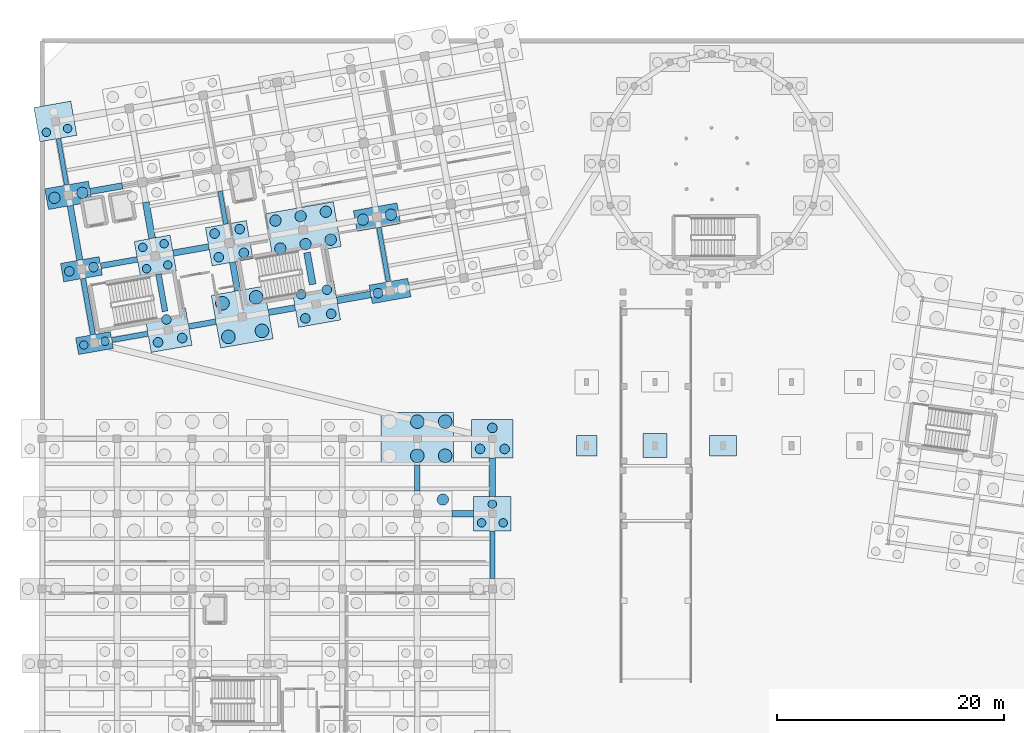
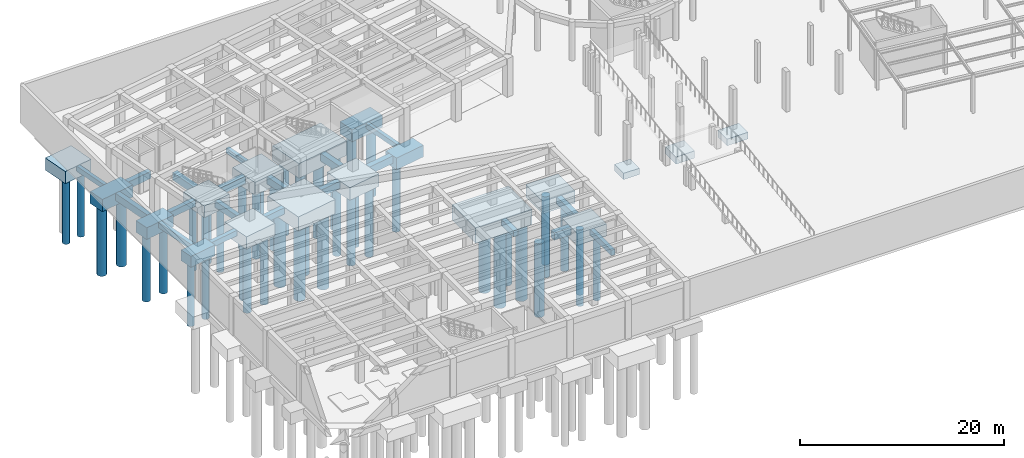
# One storey, part 3 of 34: 47 piles, 38 footings.
"""IFC4 building model written with IfcOpenShell, lengths in metres."""

from ifc_helpers import new_model, si_unit, direction, frame, origin, origin_2d, place, context, subcontext, project, spatial, rectangle, circle, extrude, material, material_profile, profile_set, type_object, element, save


model = new_model("IFC4")

# Units and contexts
model_context = context("Model", 3, precision=1e-05, world=origin(), true_north=direction((0.0, 1.0)))
body_context = subcontext(model_context, "Body", "Model", "MODEL_VIEW")
ifc_project = project(units=[si_unit("LENGTHUNIT", "METRE"), si_unit("AREAUNIT", "SQUARE_METRE"), si_unit("VOLUMEUNIT", "CUBIC_METRE"), si_unit("PLANEANGLEUNIT", "RADIAN"), si_unit("MASSUNIT", "GRAM", prefix="KILO")], contexts=[model_context])

# Site, building, storey
site_placement = place(None, origin())
site = spatial("IfcSite", under=ifc_project, at=site_placement, CompositionType="ELEMENT")
building_placement = place(site_placement, origin())
building = spatial("IfcBuilding", under=site, at=building_placement, Name="Kharisveld Research Institute", CompositionType="ELEMENT")
storey_placement = place(building_placement, frame((0.0, 0.0, -4.800048828125)))
storey = spatial("IfcBuildingStorey", under=building, at=storey_placement, Name="B1", CompositionType="ELEMENT", Elevation=-4.800048828125)

# Footings
ifc_material_1 = material(Name="Concrete C35/45", Category="concrete")
ifc_material_profile_1 = material_profile(ifc_material_1, rectangle(XDim=0.449951171875, YDim=0.64990234375, at=origin_2d()))
ifc_profile_set_1 = profile_set([ifc_material_profile_1], Name="Concrete C35/45")
footing_type_1 = type_object("IfcFootingType", Name="GB_01", PredefinedType="FOOTING_BEAM", material=ifc_profile_set_1)
footing_1_placement = place(storey_placement, frame((6.7265625, 35.279052734375, -0.77490234375), z_axis=(0.984803368477, 0.173673041766, 0.0), x_axis=(-0.173673041766, 0.984803368477, 0.0)))
element("IfcFooting", 1, at=footing_1_placement, inside=storey, type_object=footing_type_1, Name="FTG:GB:V1:U0_0", PredefinedType="FOOTING_BEAM", context=body_context, shape_type="SweptSolid", body=[
    extrude(rectangle(XDim=0.449951171875, YDim=0.64990234375, at=origin_2d()), origin(), (0.0, 0.0, 1.0), 3.224853515625),
])
footing_2_placement = place(storey_placement, frame((5.06982421875, 35.74853515625, -0.77490234375), z_axis=(-0.17364120873, 0.984808981798, 0.0), x_axis=(-0.984808981798, -0.17364120873, 0.0)))
element("IfcFooting", 2, at=footing_2_placement, inside=storey, type_object=footing_type_1, Name="FTG:GB:V1:V0_0", PredefinedType="FOOTING_BEAM", context=body_context, shape_type="SweptSolid", body=[
    extrude(rectangle(XDim=0.449951171875, YDim=0.64990234375, at=origin_2d()), origin(), (0.0, 0.0, 1.0), 5.025146484375),
])
footing_3_placement = place(storey_placement, frame((40.199951171875, 14.324951171875, -0.77490234375), z_axis=(0.0, 1.0, 0.0), x_axis=(-1.0, 0.0, 0.0)))
element("IfcFooting", 3, at=footing_3_placement, inside=storey, type_object=footing_type_1, Name="FTG:GB:V3:V6_2", PredefinedType="FOOTING_BEAM", context=body_context, shape_type="SweptSolid", body=[
    extrude(rectangle(XDim=0.449951171875, YDim=0.64990234375, at=origin_2d()), origin(), (0.0, 0.0, 1.0), 4.150146484375),
])
ifc_material_2 = material(Name="Concrete C35/45", Category="concrete")
ifc_material_profile_2 = material_profile(ifc_material_2, rectangle(XDim=0.5, YDim=0.75, at=origin_2d()))
ifc_profile_set_2 = profile_set([ifc_material_profile_2], Name="Concrete C35/45")
footing_type_2 = type_object("IfcFootingType", Name="GB_02", PredefinedType="FOOTING_BEAM", material=ifc_profile_set_2)
footing_4_placement = place(storey_placement, frame((13.4970703125, 36.472900390625, -0.824951171875), z_axis=(0.984804835116, 0.173664725064, 0.0), x_axis=(-0.173664725064, 0.984804835116, 0.0)))
element("IfcFooting", 4, at=footing_4_placement, inside=storey, type_object=footing_type_2, Name="FTG:GB:V1:U1_0", PredefinedType="FOOTING_BEAM", context=body_context, shape_type="SweptSolid", body=[
    extrude(rectangle(XDim=0.5, YDim=0.75, at=origin_2d()), origin(), (0.0, 0.0, 1.0), 2.425048828125),
])
footing_5_placement = place(storey_placement, frame((5.752685546875, 41.809326171875, -0.824951171875), z_axis=(0.984813562235, 0.173615228707, 0.0), x_axis=(-0.173615228707, 0.984813562235, 0.0)))
element("IfcFooting", 5, at=footing_5_placement, inside=storey, type_object=footing_type_2, Name="FTG:GB:V1:U0_1", PredefinedType="FOOTING_BEAM", context=body_context, shape_type="SweptSolid", body=[
    extrude(rectangle(XDim=0.5, YDim=0.75, at=origin_2d()), origin(), (0.0, 0.0, 1.0), 3.275146484375),
])
footing_6_placement = place(storey_placement, frame((11.408935546875, 37.8056640625, -0.824951171875), z_axis=(-0.173655479485, 0.984806465477, 0.0), x_axis=(-0.984806465477, -0.173655479485, 0.0)))
element("IfcFooting", 6, at=footing_6_placement, inside=storey, type_object=footing_type_2, Name="FTG:GB:V1:V1_0", PredefinedType="FOOTING_BEAM", context=body_context, shape_type="SweptSolid", body=[
    extrude(rectangle(XDim=0.5, YDim=0.75, at=origin_2d()), origin(), (0.0, 0.0, 1.0), 3.324951171875),
])
footing_7_placement = place(storey_placement, frame((33.60009765625, 22.0, -0.824951171875), z_axis=(0.0, 1.0, 0.0), x_axis=(-1.0, 0.0, 0.0)))
element("IfcFooting", 7, at=footing_7_placement, inside=storey, type_object=footing_type_2, Name="FTG:GB:V3:V5_3", PredefinedType="FOOTING_BEAM", context=body_context, shape_type="SweptSolid", body=[
    extrude(rectangle(XDim=0.5, YDim=0.75, at=origin_2d()), origin(), (0.0, 0.0, 1.0), 2.300048828125),
])
ifc_material_3 = material(Name="Concrete C35/45", Category="concrete")
ifc_material_profile_3 = material_profile(ifc_material_3, rectangle(XDim=0.550048828125, YDim=0.85009765625, at=origin_2d()))
ifc_profile_set_3 = profile_set([ifc_material_profile_3], Name="Concrete C35/45")
footing_type_3 = type_object("IfcFootingType", Name="GB_03", PredefinedType="FOOTING_BEAM", material=ifc_profile_set_3)
footing_8_placement = place(storey_placement, frame((20.513671875, 37.710205078125, -0.875), z_axis=(0.984814586549, 0.173609418295, 0.0), x_axis=(-0.173609418295, 0.984814586549, 0.0)))
element("IfcFooting", 8, at=footing_8_placement, inside=storey, type_object=footing_type_3, Name="FTG:GB:V1:U2_0", PredefinedType="FOOTING_BEAM", context=body_context, shape_type="SweptSolid", body=[
    extrude(rectangle(XDim=0.550048828125, YDim=0.85009765625, at=origin_2d()), origin(), (0.0, 0.0, 1.0), 2.375244140625),
])
footing_9_placement = place(storey_placement, frame((12.12939453125, 42.93359375, -0.875), z_axis=(0.984810641176, 0.173631797281, 0.0), x_axis=(-0.173631797281, 0.984810641176, 0.0)))
element("IfcFooting", 9, at=footing_9_placement, inside=storey, type_object=footing_type_3, Name="FTG:GB:V1:U1_1", PredefinedType="FOOTING_BEAM", context=body_context, shape_type="SweptSolid", body=[
    extrude(rectangle(XDim=0.550048828125, YDim=0.85009765625, at=origin_2d()), origin(), (0.0, 0.0, 1.0), 3.175048828125),
])
footing_10_placement = place(storey_placement, frame((4.828125, 48.34814453125, -0.875), z_axis=(0.984805777887, 0.173659378786, 0.0), x_axis=(-0.173659378786, 0.984805777887, 0.0)))
element("IfcFooting", 10, at=footing_10_placement, inside=storey, type_object=footing_type_3, Name="FTG:GB:V1:U0_2", PredefinedType="FOOTING_BEAM", context=body_context, shape_type="SweptSolid", body=[
    extrude(rectangle(XDim=0.550048828125, YDim=0.85009765625, at=origin_2d()), origin(), (0.0, 0.0, 1.0), 2.875),
])
footing_11_placement = place(storey_placement, frame((3.91064453125, 42.322265625, -0.875), z_axis=(-0.173664725064, 0.984804835116, 0.0), x_axis=(-0.984804835116, -0.173664725064, 0.0)))
element("IfcFooting", 11, at=footing_11_placement, inside=storey, type_object=footing_type_3, Name="FTG:GB:V1:V0_1", PredefinedType="FOOTING_BEAM", context=body_context, shape_type="SweptSolid", body=[
    extrude(rectangle(XDim=0.550048828125, YDim=0.85009765625, at=origin_2d()), origin(), (0.0, 0.0, 1.0), 4.85009765625),
])
footing_12_placement = place(storey_placement, frame((17.79150390625, 39.616455078125, -0.875), z_axis=(-0.173676096932, 0.984802829684, 0.0), x_axis=(-0.984802829684, -0.173676096932, 0.0)))
element("IfcFooting", 12, at=footing_12_placement, inside=storey, type_object=footing_type_3, Name="FTG:GB:V1:V2_0", PredefinedType="FOOTING_BEAM", context=body_context, shape_type="SweptSolid", body=[
    extrude(rectangle(XDim=0.550048828125, YDim=0.85009765625, at=origin_2d()), origin(), (0.0, 0.0, 1.0), 2.550048828125),
])
footing_13_placement = place(storey_placement, frame((40.199951171875, 21.52490234375, -0.875), z_axis=(0.0, 1.0, 0.0), x_axis=(-1.0, 0.0, 0.0)))
element("IfcFooting", 13, at=footing_13_placement, inside=storey, type_object=footing_type_3, Name="FTG:GB:V3:V6_3", PredefinedType="FOOTING_BEAM", context=body_context, shape_type="SweptSolid", body=[
    extrude(rectangle(XDim=0.550048828125, YDim=0.85009765625, at=origin_2d()), origin(), (0.0, 0.0, 1.0), 3.400146484375),
])
ifc_material_4 = material(Name="Concrete C35/45", Category="concrete")
ifc_material_profile_4 = material_profile(ifc_material_4, rectangle(XDim=0.60009765625, YDim=0.89990234375, at=origin_2d()))
ifc_profile_set_4 = profile_set([ifc_material_profile_4], Name="Concrete C35/45")
footing_type_4 = type_object("IfcFootingType", Name="GB_04", PredefinedType="FOOTING_BEAM", material=ifc_profile_set_4)
footing_14_placement = place(storey_placement, frame((26.545654296875, 38.77392578125, -0.89990234375), z_axis=(0.984820401928, 0.173576426815, 0.0), x_axis=(-0.173576426815, 0.984820401928, 0.0)))
element("IfcFooting", 14, at=footing_14_placement, inside=storey, type_object=footing_type_4, Name="FTG:GB:V1:U3_0", PredefinedType="FOOTING_BEAM", context=body_context, shape_type="SweptSolid", body=[
    extrude(rectangle(XDim=0.60009765625, YDim=0.89990234375, at=origin_2d()), origin(), (0.0, 0.0, 1.0), 3.000244140625),
])
footing_15_placement = place(storey_placement, frame((10.27587890625, 44.2314453125, -0.89990234375), z_axis=(-0.173660094172, 0.984805651737, 0.0), x_axis=(-0.984805651737, -0.173660094172, 0.0)))
element("IfcFooting", 15, at=footing_15_placement, inside=storey, type_object=footing_type_4, Name="FTG:GB:V1:V1_1", PredefinedType="FOOTING_BEAM", context=body_context, shape_type="SweptSolid", body=[
    extrude(rectangle(XDim=0.60009765625, YDim=0.89990234375, at=origin_2d()), origin(), (0.0, 0.0, 1.0), 3.22509765625),
])
footing_16_placement = place(storey_placement, frame((24.395263671875, 40.171630859375, -0.89990234375), z_axis=(-0.173643610618, 0.984808558295, 0.0), x_axis=(-0.984808558295, -0.173643610618, 0.0)))
element("IfcFooting", 16, at=footing_16_placement, inside=storey, type_object=footing_type_4, Name="FTG:GB:V1:V3_0", PredefinedType="FOOTING_BEAM", context=body_context, shape_type="SweptSolid", body=[
    extrude(rectangle(XDim=0.60009765625, YDim=0.89990234375, at=origin_2d()), origin(), (0.0, 0.0, 1.0), 2.849853515625),
])
footing_17_placement = place(storey_placement, frame((36.64990234375, 20.0, -0.89990234375), z_axis=(1.0, 0.0, 0.0), x_axis=(0.0, 1.0, 0.0)))
element("IfcFooting", 17, at=footing_17_placement, inside=storey, type_object=footing_type_4, Name="FTG:GB:V3:U5_3", PredefinedType="FOOTING_BEAM", context=body_context, shape_type="SweptSolid", body=[
    extrude(rectangle(XDim=0.60009765625, YDim=0.89990234375, at=origin_2d()), origin(), (0.0, 0.0, 1.0), 1.900146484375),
])
ifc_material_5 = material(Name="Concrete C35/45", Category="concrete")
ifc_material_profile_5 = material_profile(ifc_material_5, rectangle(XDim=0.39990234375, YDim=0.60009765625, at=origin_2d()))
ifc_profile_set_5 = profile_set([ifc_material_profile_5], Name="Concrete C35/45")
footing_type_5 = type_object("IfcFootingType", Name="GB_05", PredefinedType="FOOTING_BEAM", material=ifc_profile_set_5)
footing_18_placement = place(storey_placement, frame((2.747314453125, 48.92041015625, -0.75), z_axis=(-0.173664515088, 0.984804872144, 0.0), x_axis=(-0.984804872144, -0.173664515088, 0.0)))
element("IfcFooting", 18, at=footing_18_placement, inside=storey, type_object=footing_type_5, Name="FTG:GB:V1:V0_2", PredefinedType="FOOTING_BEAM", context=body_context, shape_type="SweptSolid", body=[
    extrude(rectangle(XDim=0.39990234375, YDim=0.60009765625, at=origin_2d()), origin(), (0.0, 0.0, 1.0), 4.14990234375),
])
footing_19_placement = place(storey_placement, frame((16.75830078125, 45.47607421875, -0.75), z_axis=(-0.173705076567, 0.984797718506, 0.0), x_axis=(-0.984797718506, -0.173705076567, 0.0)))
element("IfcFooting", 19, at=footing_19_placement, inside=storey, type_object=footing_type_5, Name="FTG:GB:V1:V2_1", PredefinedType="FOOTING_BEAM", context=body_context, shape_type="SweptSolid", body=[
    extrude(rectangle(XDim=0.39990234375, YDim=0.60009765625, at=origin_2d()), origin(), (0.0, 0.0, 1.0), 2.9501953125),
])
footing_20_placement = place(storey_placement, frame((31.0556640625, 40.40673828125, -0.75), z_axis=(-0.173664725064, 0.984804835116, 0.0), x_axis=(-0.984804835116, -0.173664725064, 0.0)))
element("IfcFooting", 20, at=footing_20_placement, inside=storey, type_object=footing_type_5, Name="FTG:GB:V1:V4_0", PredefinedType="FOOTING_BEAM", context=body_context, shape_type="SweptSolid", body=[
    extrude(rectangle(XDim=0.39990234375, YDim=0.60009765625, at=origin_2d()), origin(), (0.0, 0.0, 1.0), 4.85009765625),
])
ifc_material_6 = material(Name="Concrete C35/45", Category="concrete")
footing_type_6 = type_object("IfcFootingType", Name="PC_2P_A", PredefinedType="PILE_CAP", material=ifc_material_6)
footing_21_placement = place(storey_placement, frame((5.199951171875, 35.010009765625, -1.75), z_axis=(0.0, 0.0, 1.0), x_axis=(0.984807753012, 0.173648177667, 0.0)))
element("IfcFooting", 21, at=footing_21_placement, inside=storey, type_object=footing_type_6, Name="FTG:V1:U0V0", PredefinedType="PILE_CAP", context=body_context, shape_type="SweptSolid", body=[
    extrude(rectangle(XDim=3.10009765625, YDim=1.5, at=origin_2d()), origin(), (0.0, 0.0, 1.0), 1.300048828125),
])
ifc_material_7 = material(Name="Concrete C35/45", Category="concrete")
footing_type_7 = type_object("IfcFootingType", Name="PC_2P_B", PredefinedType="PILE_CAP", material=ifc_material_7)
for number, where, z_axis, x_axis, name in (
    (22, (4.053955078125, 41.509765625, -1.849853515625), (0.0, 0.0, 1.0), (0.984807753012, 0.173648177667, 0.0), "FTG:V1:U0V1"),
    (23, (31.198974609375, 39.59423828125, -1.849853515625), (0.0, 0.0, 1.0), (0.984807753012, 0.173648177667, 0.0), "FTG:V1:U4V0"),
):
    element("IfcFooting", number, at=place(storey_placement, frame(where, z_axis=z_axis, x_axis=x_axis)), inside=storey, type_object=footing_type_7, Name=name, PredefinedType="PILE_CAP", context=body_context, shape_type="SweptSolid", body=[
        extrude(rectangle(XDim=3.449951171875, YDim=1.64990234375, at=origin_2d()), origin(), (0.0, 0.0, 1.0), 1.39990234375),
    ])
ifc_material_8 = material(Name="Concrete C35/45", Category="concrete")
footing_type_8 = type_object("IfcFootingType", Name="PC_2P_C", PredefinedType="PILE_CAP", material=ifc_material_8)
for number, where, z_axis, x_axis, name in (
    (24, (2.907958984375, 48.009521484375, -1.89990234375), (0.0, 0.0, 1.0), (0.984807753012, 0.173648177667, 0.0), "FTG:V1:U0V2"),
    (25, (30.052734375, 46.093994140625, -1.89990234375), (0.0, 0.0, 1.0), (0.984807753012, 0.173648177667, 0.0), "FTG:V1:U4V1"),
):
    element("IfcFooting", number, at=place(storey_placement, frame(where, z_axis=z_axis, x_axis=x_axis)), inside=storey, type_object=footing_type_8, Name=name, PredefinedType="PILE_CAP", context=body_context, shape_type="SweptSolid", body=[
        extrude(rectangle(XDim=3.89990234375, YDim=1.85009765625, at=origin_2d()), origin(), (0.0, 0.0, 1.0), 1.449951171875),
    ])
ifc_material_9 = material(Name="Concrete C35/45", Category="concrete")
footing_type_9 = type_object("IfcFootingType", Name="PC_3P_A", PredefinedType="PILE_CAP", material=ifc_material_9)
for number, where, z_axis, x_axis, name in (
    (26, (1.76171875, 54.50927734375, -1.89990234375), (0.0, 0.0, 1.0), (0.984807753012, 0.173648177667, 0.0), "FTG:V1:U0V3"),
    (27, (40.199951171875, 20.0, -1.89990234375), (0.0, 0.0, 1.0), (1.0, 0.0, 0.0), "FTG:V3:U6V3"),
):
    element("IfcFooting", number, at=place(storey_placement, frame(where, z_axis=z_axis, x_axis=x_axis)), inside=storey, type_object=footing_type_9, Name=name, PredefinedType="PILE_CAP", context=body_context, shape_type="SweptSolid", body=[
        extrude(rectangle(XDim=3.300048828125, YDim=3.050048828125, at=origin_2d()), origin(), (0.0, 0.0, 1.0), 1.449951171875),
    ])
ifc_material_10 = material(Name="Concrete C35/45", Category="concrete")
footing_type_10 = type_object("IfcFootingType", Name="PC_3P_B", PredefinedType="PILE_CAP", material=ifc_material_10)
for number, where, z_axis, x_axis, name in (
    (28, (11.69970703125, 36.156005859375, -1.949951171875), (0.0, 0.0, 1.0), (0.984807753012, 0.173648177667, 0.0), "FTG:V1:U1V0"),
    (29, (40.199951171875, 26.60009765625, -1.949951171875), (0.0, 0.0, 1.0), (1.0, 0.0, 0.0), "FTG:V3:U6V4"),
):
    element("IfcFooting", number, at=place(storey_placement, frame(where, z_axis=z_axis, x_axis=x_axis)), inside=storey, type_object=footing_type_10, Name=name, PredefinedType="PILE_CAP", context=body_context, shape_type="SweptSolid", body=[
        extrude(rectangle(XDim=3.64990234375, YDim=3.35009765625, at=origin_2d()), origin(), (0.0, 0.0, 1.0), 1.5),
    ])
ifc_material_11 = material(Name="Concrete C35/45", Category="concrete")
footing_type_11 = type_object("IfcFootingType", Name="PC_4P_A", PredefinedType="PILE_CAP", material=ifc_material_11)
footing_22_placement = place(storey_placement, frame((10.5537109375, 42.65576171875, -1.849853515625), z_axis=(0.0, 0.0, 1.0), x_axis=(0.984807753012, 0.173648177667, 0.0)))
element("IfcFooting", 30, at=footing_22_placement, inside=storey, type_object=footing_type_11, Name="FTG:V1:U1V1", PredefinedType="PILE_CAP", context=body_context, shape_type="SweptSolid", body=[
    extrude(rectangle(XDim=3.199951171875, YDim=3.199951171875, at=origin_2d()), origin(), (0.0, 0.0, 1.0), 1.39990234375),
])
ifc_material_12 = material(Name="Concrete C35/45", Category="concrete")
footing_type_12 = type_object("IfcFootingType", Name="PC_4P_D", PredefinedType="PILE_CAP", material=ifc_material_12)
footing_23_placement = place(storey_placement, frame((18.199462890625, 37.30224609375, -2.14990234375), z_axis=(0.0, 0.0, 1.0), x_axis=(0.984807753012, 0.173648177667, 0.0)))
element("IfcFooting", 31, at=footing_23_placement, inside=storey, type_object=footing_type_12, Name="FTG:V1:U2V0", PredefinedType="PILE_CAP", context=body_context, shape_type="SweptSolid", body=[
    extrude(rectangle(XDim=4.699951171875, YDim=4.699951171875, at=origin_2d()), origin(), (0.0, 0.0, 1.0), 1.699951171875),
])
ifc_material_13 = material(Name="Concrete C35/45", Category="concrete")
footing_type_13 = type_object("IfcFootingType", Name="PC_4P_E", PredefinedType="PILE_CAP", material=ifc_material_13)
footing_24_placement = place(storey_placement, frame((17.053466796875, 43.802001953125, -2.0), z_axis=(0.0, 0.0, 1.0), x_axis=(0.984807753012, 0.173648177667, 0.0)))
element("IfcFooting", 32, at=footing_24_placement, inside=storey, type_object=footing_type_13, Name="FTG:V1:U2V1", PredefinedType="PILE_CAP", context=body_context, shape_type="SweptSolid", body=[
    extrude(rectangle(XDim=3.64990234375, YDim=3.39990234375, at=origin_2d()), origin(), (0.0, 0.0, 1.0), 1.550048828125),
])
ifc_material_14 = material(Name="Concrete C35/45", Category="concrete")
footing_type_14 = type_object("IfcFootingType", Name="PC_4P_H", PredefinedType="PILE_CAP", material=ifc_material_14)
footing_25_placement = place(storey_placement, frame((24.69921875, 38.4482421875, -1.969970703125), z_axis=(0.0, 0.0, 1.0), x_axis=(0.984807753012, 0.173648177667, 0.0)))
element("IfcFooting", 33, at=footing_25_placement, inside=storey, type_object=footing_type_14, Name="FTG:V1:U3V0", PredefinedType="PILE_CAP", context=body_context, shape_type="SweptSolid", body=[
    extrude(rectangle(XDim=3.75, YDim=3.5, at=origin_2d()), origin(), (0.0, 0.0, 1.0), 1.52001953125),
])
ifc_material_15 = material(Name="Concrete C35/45", Category="concrete")
footing_type_15 = type_object("IfcFootingType", Name="PC_6P_A", PredefinedType="PILE_CAP", material=ifc_material_15)
footing_26_placement = place(storey_placement, frame((23.55322265625, 44.947998046875, -2.199951171875), z_axis=(0.0, 0.0, 1.0), x_axis=(0.984807753012, 0.173648177667, 0.0)))
element("IfcFooting", 34, at=footing_26_placement, inside=storey, type_object=footing_type_15, Name="FTG:V1:U3V1", PredefinedType="PILE_CAP", context=body_context, shape_type="SweptSolid", body=[
    extrude(rectangle(XDim=6.10009765625, YDim=4.0, at=origin_2d()), origin(), (0.0, 0.0, 1.0), 1.75),
])
ifc_material_16 = material(Name="Concrete C35/45", Category="concrete")
footing_type_16 = type_object("IfcFootingType", Name="PC_6P_B", PredefinedType="PILE_CAP", material=ifc_material_16)
footing_27_placement = place(storey_placement, frame((33.60009765625, 26.60009765625, -2.300048828125), z_axis=(0.0, 0.0, 1.0), x_axis=(1.0, 0.0, 0.0)))
element("IfcFooting", 35, at=footing_27_placement, inside=storey, type_object=footing_type_16, Name="FTG:V3:U5V4", PredefinedType="PILE_CAP", context=body_context, shape_type="SweptSolid", body=[
    extrude(rectangle(XDim=6.39990234375, YDim=4.60009765625, at=origin_2d()), origin(), (0.0, 0.0, 1.0), 1.85009765625),
])
ifc_material_17 = material(Name="Concrete C35/45", Category="concrete")
footing_type_17 = type_object("IfcFootingType", Name="PF_01", PredefinedType="PAD_FOOTING", material=ifc_material_17)
footing_28_placement = place(storey_placement, frame((48.5, 26.0, -1.199951171875), z_axis=(0.0, 0.0, 1.0), x_axis=(1.0, 0.0, 0.0)))
element("IfcFooting", 36, at=footing_28_placement, inside=storey, type_object=footing_type_17, Name="FTG:ARC:PF1_1", PredefinedType="PAD_FOOTING", context=body_context, shape_type="SweptSolid", body=[
    extrude(rectangle(XDim=1.800048828125, YDim=1.800048828125, at=origin_2d()), origin(), (0.0, 0.0, 1.0), 0.75),
])
ifc_material_18 = material(Name="Concrete C35/45", Category="concrete")
footing_type_18 = type_object("IfcFootingType", Name="PF_02", PredefinedType="PAD_FOOTING", material=ifc_material_18)
footing_29_placement = place(storey_placement, frame((54.5, 26.0, -1.300048828125), z_axis=(0.0, 0.0, 1.0), x_axis=(1.0, 0.0, 0.0)))
element("IfcFooting", 37, at=footing_29_placement, inside=storey, type_object=footing_type_18, Name="FTG:ARC:PF2_1", PredefinedType="PAD_FOOTING", context=body_context, shape_type="SweptSolid", body=[
    extrude(rectangle(XDim=2.10009765625, YDim=2.10009765625, at=origin_2d()), origin(), (0.0, 0.0, 1.0), 0.85009765625),
])
ifc_material_19 = material(Name="Concrete C35/45", Category="concrete")
footing_type_19 = type_object("IfcFootingType", Name="PF_03", PredefinedType="PAD_FOOTING", material=ifc_material_19)
footing_30_placement = place(storey_placement, frame((60.5, 26.0, -1.25), z_axis=(0.0, 0.0, 1.0), x_axis=(1.0, 0.0, 0.0)))
element("IfcFooting", 38, at=footing_30_placement, inside=storey, type_object=footing_type_19, Name="FTG:ARC:PF3_1", PredefinedType="PAD_FOOTING", context=body_context, shape_type="SweptSolid", body=[
    extrude(rectangle(XDim=2.39990234375, YDim=1.800048828125, at=origin_2d()), origin(), (0.0, 0.0, 1.0), 0.800048828125),
])

# Piles
ifc_material_20 = material(Name="Concrete C40/50", Category="concrete")
ifc_material_profile_6 = material_profile(ifc_material_20, circle(Radius=0.5, at=origin_2d()))
ifc_profile_set_6 = profile_set([ifc_material_profile_6], Name="Concrete C40/50")
pile_type_1 = type_object("IfcPileType", Name="PILE_D1000", PredefinedType="BORED", material=ifc_profile_set_6)
for number, where, z_axis, x_axis, name in (
    (39, (1.6767578125, 47.79248046875, -1.800048828125), (0.0, 0.0, -1.0), (1.0, 0.0, 0.0), "PILE:V1:U0V2:P1"),
    (40, (4.138916015625, 48.2265625, -1.800048828125), (0.0, 0.0, -1.0), (1.0, 0.0, 0.0), "PILE:V1:U0V2:P2"),
):
    element("IfcPile", number, at=place(storey_placement, frame(where, z_axis=z_axis, x_axis=x_axis)), inside=storey, type_object=pile_type_1, Name=name, PredefinedType="BORED", context=body_context, shape_type="SweptSolid", body=[
        extrude(circle(Radius=0.5, at=origin_2d()), origin(), (0.0, 0.0, 1.0), 8.300048828125),
    ])
for number, where, z_axis, x_axis, name in (
    (41, (21.554443359375, 43.326171875, -2.099853515625), (0.0, 0.0, -1.0), (1.0, 0.0, 0.0), "PILE:V1:U3V1:P1"),
    (42, (23.770263671875, 43.717041015625, -2.099853515625), (0.0, 0.0, -1.0), (1.0, 0.0, 0.0), "PILE:V1:U3V1:P2"),
    (43, (25.986083984375, 44.107666015625, -2.099853515625), (0.0, 0.0, -1.0), (1.0, 0.0, 0.0), "PILE:V1:U3V1:P3"),
    (44, (21.1201171875, 45.788330078125, -2.099853515625), (0.0, 0.0, -1.0), (1.0, 0.0, 0.0), "PILE:V1:U3V1:P4"),
    (45, (23.3359375, 46.178955078125, -2.099853515625), (0.0, 0.0, -1.0), (1.0, 0.0, 0.0), "PILE:V1:U3V1:P5"),
    (46, (25.5517578125, 46.569580078125, -2.099853515625), (0.0, 0.0, -1.0), (1.0, 0.0, 0.0), "PILE:V1:U3V1:P6"),
):
    element("IfcPile", number, at=place(storey_placement, frame(where, z_axis=z_axis, x_axis=x_axis)), inside=storey, type_object=pile_type_1, Name=name, PredefinedType="BORED", context=body_context, shape_type="SweptSolid", body=[
        extrude(circle(Radius=0.5, at=origin_2d()), origin(), (0.0, 0.0, 1.0), 8.800048828125),
    ])
for number, where, z_axis, x_axis, name in (
    (47, (28.82177734375, 45.876953125, -1.800048828125), (0.0, 0.0, -1.0), (1.0, 0.0, 0.0), "PILE:V1:U4V1:P1"),
    (48, (31.283935546875, 46.31103515625, -1.800048828125), (0.0, 0.0, -1.0), (1.0, 0.0, 0.0), "PILE:V1:U4V1:P2"),
):
    element("IfcPile", number, at=place(storey_placement, frame(where, z_axis=z_axis, x_axis=x_axis)), inside=storey, type_object=pile_type_1, Name=name, PredefinedType="BORED", context=body_context, shape_type="SweptSolid", body=[
        extrude(circle(Radius=0.5, at=origin_2d()), origin(), (0.0, 0.0, 1.0), 8.300048828125),
    ])
pile_1_placement = place(storey_placement, frame((35.85009765625, 21.25, -2.099853515625), z_axis=(0.0, 0.0, -1.0), x_axis=(1.0, 0.0, 0.0)))
element("IfcPile", 49, at=pile_1_placement, inside=storey, type_object=pile_type_1, Name="PILE:V3:U5V3:P6", PredefinedType="BORED", context=body_context, shape_type="SweptSolid", body=[
    extrude(circle(Radius=0.5, at=origin_2d()), origin(), (0.0, 0.0, 1.0), 8.800048828125),
])
ifc_material_21 = material(Name="Concrete C40/50", Category="concrete")
ifc_material_profile_7 = material_profile(ifc_material_21, circle(Radius=0.60009765625, at=origin_2d()))
ifc_profile_set_7 = profile_set([ifc_material_profile_7], Name="Concrete C40/50")
pile_type_2 = type_object("IfcPileType", Name="PILE_D1200", PredefinedType="BORED", material=ifc_profile_set_7)
for number, where, z_axis, x_axis, name in (
    (50, (16.982666015625, 35.564453125, -2.050048828125), (0.0, 0.0, -1.0), (1.0, 0.0, 0.0), "PILE:V1:U2V0:P1"),
    (51, (19.937255859375, 36.08544921875, -2.050048828125), (0.0, 0.0, -1.0), (1.0, 0.0, 0.0), "PILE:V1:U2V0:P2"),
    (52, (19.416259765625, 39.039794921875, -2.050048828125), (0.0, 0.0, -1.0), (1.0, 0.0, 0.0), "PILE:V1:U2V0:P3"),
    (53, (16.461669921875, 38.518798828125, -2.050048828125), (0.0, 0.0, -1.0), (1.0, 0.0, 0.0), "PILE:V1:U2V0:P4"),
):
    element("IfcPile", number, at=place(storey_placement, frame(where, z_axis=z_axis, x_axis=x_axis)), inside=storey, type_object=pile_type_2, Name=name, PredefinedType="BORED", context=body_context, shape_type="SweptSolid", body=[
        extrude(circle(Radius=0.60009765625, at=origin_2d()), origin(), (0.0, 0.0, 1.0), 8.89990234375),
    ])
for number, where, z_axis, x_axis, name in (
    (54, (33.60009765625, 25.10009765625, -2.199951171875), (0.0, 0.0, -1.0), (1.0, 0.0, 0.0), "PILE:V3:U5V4:P2"),
    (55, (36.050048828125, 25.10009765625, -2.199951171875), (0.0, 0.0, -1.0), (1.0, 0.0, 0.0), "PILE:V3:U5V4:P3"),
    (56, (33.60009765625, 28.10009765625, -2.199951171875), (0.0, 0.0, -1.0), (1.0, 0.0, 0.0), "PILE:V3:U5V4:P5"),
    (57, (36.050048828125, 28.10009765625, -2.199951171875), (0.0, 0.0, -1.0), (1.0, 0.0, 0.0), "PILE:V3:U5V4:P6"),
):
    element("IfcPile", number, at=place(storey_placement, frame(where, z_axis=z_axis, x_axis=x_axis)), inside=storey, type_object=pile_type_2, Name=name, PredefinedType="BORED", context=body_context, shape_type="SweptSolid", body=[
        extrude(circle(Radius=0.60009765625, at=origin_2d()), origin(), (0.0, 0.0, 1.0), 9.10009765625),
    ])
ifc_material_22 = material(Name="Concrete C40/50", Category="concrete")
ifc_material_profile_8 = material_profile(ifc_material_22, circle(Radius=0.375, at=origin_2d()))
ifc_profile_set_8 = profile_set([ifc_material_profile_8], Name="Concrete C40/50")
pile_type_3 = type_object("IfcPileType", Name="PILE_D750", PredefinedType="BORED", material=ifc_profile_set_8)
for number, where, z_axis, x_axis, name in (
    (58, (4.264404296875, 34.844970703125, -1.64990234375), (0.0, 0.0, -1.0), (1.0, 0.0, 0.0), "PILE:V1:U0V0:P1"),
    (59, (6.135498046875, 35.175048828125, -1.64990234375), (0.0, 0.0, -1.0), (1.0, 0.0, 0.0), "PILE:V1:U0V0:P2"),
):
    element("IfcPile", number, at=place(storey_placement, frame(where, z_axis=z_axis, x_axis=x_axis)), inside=storey, type_object=pile_type_3, Name=name, PredefinedType="BORED", context=body_context, shape_type="SweptSolid", body=[
        extrude(circle(Radius=0.375, at=origin_2d()), origin(), (0.0, 0.0, 1.0), 7.60009765625),
    ])
for number, where, z_axis, x_axis, name in (
    (60, (0.965087890625, 53.556396484375, -1.800048828125), (0.0, 0.0, -1.0), (1.0, 0.0, 0.0), "PILE:V1:U0V3:P1"),
    (61, (2.836181640625, 53.88623046875, -1.800048828125), (0.0, 0.0, -1.0), (1.0, 0.0, 0.0), "PILE:V1:U0V3:P2"),
):
    element("IfcPile", number, at=place(storey_placement, frame(where, z_axis=z_axis, x_axis=x_axis)), inside=storey, type_object=pile_type_3, Name=name, PredefinedType="BORED", context=body_context, shape_type="SweptSolid", body=[
        extrude(circle(Radius=0.375, at=origin_2d()), origin(), (0.0, 0.0, 1.0), 7.800048828125),
    ])
for number, where, z_axis, x_axis, name in (
    (62, (9.782958984375, 41.55517578125, -1.75), (0.0, 0.0, -1.0), (1.0, 0.0, 0.0), "PILE:V1:U1V1:P1"),
    (63, (11.654296875, 41.88525390625, -1.75), (0.0, 0.0, -1.0), (1.0, 0.0, 0.0), "PILE:V1:U1V1:P2"),
    (64, (11.32421875, 43.75634765625, -1.75), (0.0, 0.0, -1.0), (1.0, 0.0, 0.0), "PILE:V1:U1V1:P3"),
    (65, (9.453125, 43.426513671875, -1.75), (0.0, 0.0, -1.0), (1.0, 0.0, 0.0), "PILE:V1:U1V1:P4"),
):
    element("IfcPile", number, at=place(storey_placement, frame(where, z_axis=z_axis, x_axis=x_axis)), inside=storey, type_object=pile_type_3, Name=name, PredefinedType="BORED", context=body_context, shape_type="SweptSolid", body=[
        extrude(circle(Radius=0.375, at=origin_2d()), origin(), (0.0, 0.0, 1.0), 7.89990234375),
    ])
for number, where, z_axis, x_axis, name in (
    (66, (39.25, 19.199951171875, -1.800048828125), (0.0, 0.0, -1.0), (1.0, 0.0, 0.0), "PILE:V3:U6V3:P1"),
    (67, (41.14990234375, 19.199951171875, -1.800048828125), (0.0, 0.0, -1.0), (1.0, 0.0, 0.0), "PILE:V3:U6V3:P2"),
    (68, (40.199951171875, 20.85009765625, -1.800048828125), (0.0, 0.0, -1.0), (1.0, 0.0, 0.0), "PILE:V3:U6V3:P3"),
):
    element("IfcPile", number, at=place(storey_placement, frame(where, z_axis=z_axis, x_axis=x_axis)), inside=storey, type_object=pile_type_3, Name=name, PredefinedType="BORED", context=body_context, shape_type="SweptSolid", body=[
        extrude(circle(Radius=0.375, at=origin_2d()), origin(), (0.0, 0.0, 1.0), 7.800048828125),
    ])
ifc_material_23 = material(Name="Concrete C40/50", Category="concrete")
ifc_material_profile_9 = material_profile(ifc_material_23, circle(Radius=0.425048828125, at=origin_2d()))
ifc_profile_set_9 = profile_set([ifc_material_profile_9], Name="Concrete C40/50")
pile_type_4 = type_object("IfcPileType", Name="PILE_D850", PredefinedType="BORED", material=ifc_profile_set_9)
for number, where, z_axis, x_axis, name in (
    (69, (2.990234375, 41.322265625, -1.75), (0.0, 0.0, -1.0), (1.0, 0.0, 0.0), "PILE:V1:U0V1:P1"),
    (70, (5.117431640625, 41.697265625, -1.75), (0.0, 0.0, -1.0), (1.0, 0.0, 0.0), "PILE:V1:U0V1:P2"),
):
    element("IfcPile", number, at=place(storey_placement, frame(where, z_axis=z_axis, x_axis=x_axis)), inside=storey, type_object=pile_type_4, Name=name, PredefinedType="BORED", context=body_context, shape_type="SweptSolid", body=[
        extrude(circle(Radius=0.425048828125, at=origin_2d()), origin(), (0.0, 0.0, 1.0), 8.0),
    ])
for number, where, z_axis, x_axis, name in (
    (71, (10.79248046875, 35.082275390625, -1.849853515625), (0.0, 0.0, -1.0), (1.0, 0.0, 0.0), "PILE:V1:U1V0:P1"),
    (72, (12.919677734375, 35.457275390625, -1.849853515625), (0.0, 0.0, -1.0), (1.0, 0.0, 0.0), "PILE:V1:U1V0:P2"),
    (73, (11.53466796875, 37.091552734375, -1.849853515625), (0.0, 0.0, -1.0), (1.0, 0.0, 0.0), "PILE:V1:U1V0:P3"),
):
    element("IfcPile", number, at=place(storey_placement, frame(where, z_axis=z_axis, x_axis=x_axis)), inside=storey, type_object=pile_type_4, Name=name, PredefinedType="BORED", context=body_context, shape_type="SweptSolid", body=[
        extrude(circle(Radius=0.425048828125, at=origin_2d()), origin(), (0.0, 0.0, 1.0), 8.199951171875),
    ])
for number, where, z_axis, x_axis, name in (
    (74, (16.134521484375, 42.5634765625, -1.89990234375), (0.0, 0.0, -1.0), (1.0, 0.0, 0.0), "PILE:V1:U2V1:P1"),
    (75, (18.34033203125, 42.952392578125, -1.89990234375), (0.0, 0.0, -1.0), (1.0, 0.0, 0.0), "PILE:V1:U2V1:P2"),
    (76, (17.972412109375, 45.040283203125, -1.89990234375), (0.0, 0.0, -1.0), (1.0, 0.0, 0.0), "PILE:V1:U2V1:P3"),
    (77, (15.766357421875, 44.6513671875, -1.89990234375), (0.0, 0.0, -1.0), (1.0, 0.0, 0.0), "PILE:V1:U2V1:P4"),
):
    element("IfcPile", number, at=place(storey_placement, frame(where, z_axis=z_axis, x_axis=x_axis)), inside=storey, type_object=pile_type_4, Name=name, PredefinedType="BORED", context=body_context, shape_type="SweptSolid", body=[
        extrude(circle(Radius=0.425048828125, at=origin_2d()), origin(), (0.0, 0.0, 1.0), 8.10009765625),
    ])
for number, where, z_axis, x_axis, name in (
    (78, (23.754150390625, 37.18505859375, -1.869873046875), (0.0, 0.0, -1.0), (1.0, 0.0, 0.0), "PILE:V1:U3V0:P1"),
    (79, (26.019287109375, 37.584228515625, -1.869873046875), (0.0, 0.0, -1.0), (1.0, 0.0, 0.0), "PILE:V1:U3V0:P2"),
    (80, (25.644287109375, 39.71142578125, -1.869873046875), (0.0, 0.0, -1.0), (1.0, 0.0, 0.0), "PILE:V1:U3V0:P3"),
    (81, (23.379150390625, 39.31201171875, -1.869873046875), (0.0, 0.0, -1.0), (1.0, 0.0, 0.0), "PILE:V1:U3V0:P4"),
):
    element("IfcPile", number, at=place(storey_placement, frame(where, z_axis=z_axis, x_axis=x_axis)), inside=storey, type_object=pile_type_4, Name=name, PredefinedType="BORED", context=body_context, shape_type="SweptSolid", body=[
        extrude(circle(Radius=0.425048828125, at=origin_2d()), origin(), (0.0, 0.0, 1.0), 8.35009765625),
    ])
pile_2_placement = place(storey_placement, frame((30.13525390625, 39.40673828125, -1.75), z_axis=(0.0, 0.0, -1.0), x_axis=(1.0, 0.0, 0.0)))
element("IfcPile", 82, at=pile_2_placement, inside=storey, type_object=pile_type_4, Name="PILE:V1:U4V0:P1", PredefinedType="BORED", context=body_context, shape_type="SweptSolid", body=[
    extrude(circle(Radius=0.425048828125, at=origin_2d()), origin(), (0.0, 0.0, 1.0), 8.0),
])
for number, where, z_axis, x_axis, name in (
    (83, (39.1201171875, 25.699951171875, -1.849853515625), (0.0, 0.0, -1.0), (1.0, 0.0, 0.0), "PILE:V3:U6V4:P1"),
    (84, (41.280029296875, 25.699951171875, -1.849853515625), (0.0, 0.0, -1.0), (1.0, 0.0, 0.0), "PILE:V3:U6V4:P2"),
    (85, (40.199951171875, 27.550048828125, -1.849853515625), (0.0, 0.0, -1.0), (1.0, 0.0, 0.0), "PILE:V3:U6V4:P3"),
):
    element("IfcPile", number, at=place(storey_placement, frame(where, z_axis=z_axis, x_axis=x_axis)), inside=storey, type_object=pile_type_4, Name=name, PredefinedType="BORED", context=body_context, shape_type="SweptSolid", body=[
        extrude(circle(Radius=0.425048828125, at=origin_2d()), origin(), (0.0, 0.0, 1.0), 8.199951171875),
    ])

save(model, "model.ifc")
